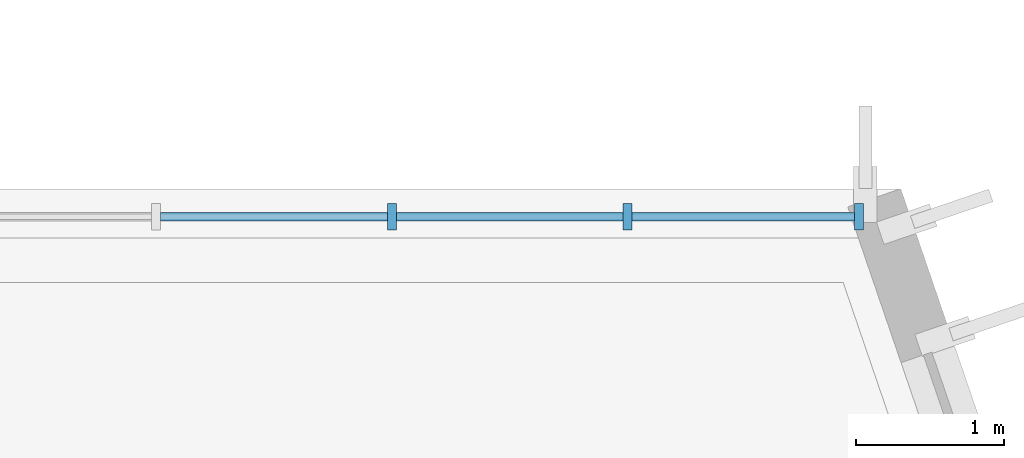
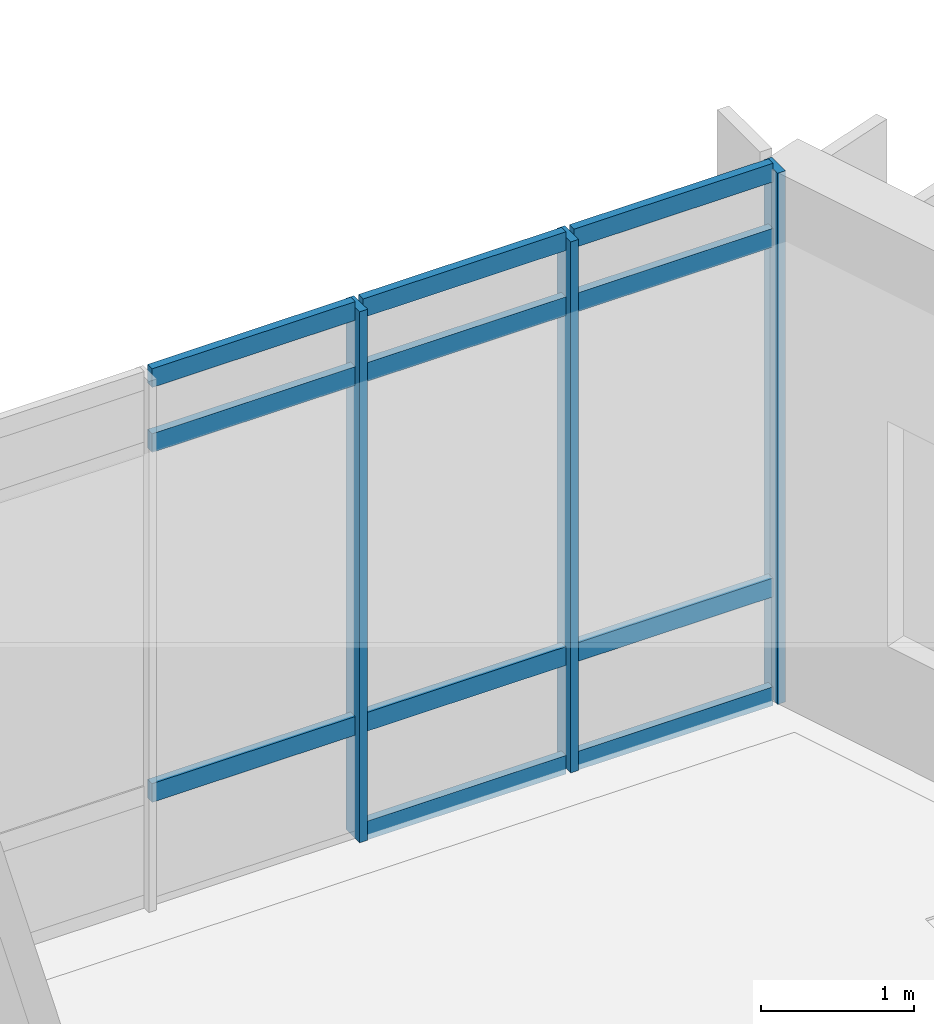
# One storey, part 43 of 86: 14 members, 1 element without a shape of its own.
"""IFC4 building model written with IfcOpenShell, lengths in metres."""

import ifcopenshell
import ifcopenshell.guid

model = None  # the IFC model being written
_history = None  # IfcOwnerHistory: only IFC2X3 demands one
_inside = {}  # id of a spatial element -> (the spatial element, [elements in it])
_under = {}  # id of a project, library or spatial element -> (it, [spatial elements below it])
_declared = {}  # id of a project -> (the project, [libraries it declares])
_typed = {}  # id of a type object -> (the type object, [elements of that type])
_made_of = {}  # id of a material, layer set ... -> (it, [elements and type objects made of it])


def new_model(schema):
    """Start an empty IFC model of exactly this schema.

    Asked for "IFC4X3", IfcOpenShell would pick the latest addendum, in which some entities
    have other attributes; the version numbers below select the first issue.
    IFC2X3 requires an IfcOwnerHistory on every rooted entity: one is made here for all.
    """
    global model, _history
    if schema == "IFC4X3":
        model = ifcopenshell.file(schema_version=(4, 3, 0, 0))
    else:
        model = ifcopenshell.file(schema=schema)
    _inside.clear()
    _under.clear()
    _declared.clear()
    _typed.clear()
    _made_of.clear()
    _history = None
    if model.schema == "IFC2X3":
        org = make("IfcOrganization", Name="unknown")
        user = make(
            "IfcPersonAndOrganization",
            ThePerson=make("IfcPerson", FamilyName="unknown"),
            TheOrganization=org,
        )
        app = make(
            "IfcApplication",
            ApplicationDeveloper=org,
            Version="unknown",
            ApplicationFullName="unknown",
            ApplicationIdentifier="unknown",
        )
        _history = make(
            "IfcOwnerHistory",
            OwningUser=user,
            OwningApplication=app,
            ChangeAction="ADDED",
            CreationDate=0,
        )
    return model


def make(cls, **values):
    """One entity of the class cls with the attributes given. An attribute that is None is left unset."""
    return model.create_entity(
        cls, **{name: value for name, value in values.items() if value is not None}
    )


def rooted(cls, **values):
    """An entity with a GlobalId (a new one), such as an element, a storey or a relation."""
    return make(cls, GlobalId=ifcopenshell.guid.new(), OwnerHistory=_history, **values)


def si_unit(unit_type, name, prefix=None):
    """IfcSIUnit, for example si_unit("LENGTHUNIT", "METRE", prefix="MILLI")."""
    return make("IfcSIUnit", UnitType=unit_type, Prefix=prefix, Name=name)


def assignment(units):
    """IfcUnitAssignment: the units of a project."""
    return None if units is None else make("IfcUnitAssignment", Units=units)


def point(xyz):
    """IfcCartesianPoint."""
    return None if xyz is None else make("IfcCartesianPoint", Coordinates=xyz)


def direction(xyz):
    """IfcDirection."""
    return None if xyz is None else make("IfcDirection", DirectionRatios=xyz)


def frame(location, z_axis=None, x_axis=None):
    """IfcAxis2Placement3D, a coordinate frame: its origin and axes. An axis left out is left unset."""
    return make(
        "IfcAxis2Placement3D",
        Location=point(location),
        Axis=direction(z_axis),
        RefDirection=direction(x_axis),
    )


def frame_2d(location, x_axis=None):
    """IfcAxis2Placement2D, a coordinate frame in the plane: its origin and x axis."""
    return make(
        "IfcAxis2Placement2D", Location=point(location), RefDirection=direction(x_axis)
    )


def origin():
    """The frame at (0, 0, 0) with its axes left unset."""
    return frame((0.0, 0.0, 0.0))


def origin_2d():
    """The frame at (0, 0) in the plane with its x axis left unset."""
    return frame_2d((0.0, 0.0))


def place(relative_to, where):
    """IfcLocalPlacement: puts the frame where relative to a parent placement (None: the world)."""
    return make(
        "IfcLocalPlacement", PlacementRelTo=relative_to, RelativePlacement=where
    )


def context(
    kind, dimensions, precision=None, world=None, true_north=None, identifier=None
):
    """IfcGeometricRepresentationContext, for example the 3D "Model" context."""
    return make(
        "IfcGeometricRepresentationContext",
        ContextIdentifier=identifier,
        ContextType=kind,
        CoordinateSpaceDimension=dimensions,
        Precision=precision,
        WorldCoordinateSystem=world,
        TrueNorth=true_north,
    )


def subcontext(parent, identifier, kind, view, scale=None):
    """IfcGeometricRepresentationSubContext, for example "Body" below "Model"."""
    return make(
        "IfcGeometricRepresentationSubContext",
        ContextIdentifier=identifier,
        ContextType=kind,
        ParentContext=parent,
        TargetScale=scale,
        TargetView=view,
    )


def project(units=None, contexts=None):
    """IfcProject with its units and contexts."""
    return rooted(
        "IfcProject",
        Name="project",
        RepresentationContexts=contexts,
        UnitsInContext=assignment(units),
    )


def spatial(cls, under=None, at=None, **own):
    """A site, building, storey or space (cls), placed at a placement, below another one or the project."""
    s = rooted(cls, ObjectPlacement=at, **own)
    if under is not None:
        _under.setdefault(under.id(), (under, []))[1].append(s)
    return s


def profile(cls, at=None, kind="AREA", **sizes):
    """A parametric profile (cls). Its sizes go by their IFC names, for example OverallWidth=200.0."""
    return make(cls, ProfileType=kind, Position=at, **sizes)


def rectangle(**sizes):
    """IfcRectangleProfileDef."""
    return profile("IfcRectangleProfileDef", **sizes)


def extrude(swept, where, along, depth):
    """IfcExtrudedAreaSolid: the profile swept, set in the frame where, extruded along a direction by depth."""
    return make(
        "IfcExtrudedAreaSolid",
        SweptArea=swept,
        Position=where,
        ExtrudedDirection=direction(along),
        Depth=depth,
    )


def shape(context_of_items, identifier, shape_type, items):
    """IfcShapeRepresentation: the items that make up one representation, for example the "Body"."""
    return make(
        "IfcShapeRepresentation",
        ContextOfItems=context_of_items,
        RepresentationIdentifier=identifier,
        RepresentationType=shape_type,
        Items=items,
    )


def material(Name=None, Category=None):
    """IfcMaterial."""
    return make("IfcMaterial", Name=Name, Category=Category)


def material_profile(
    of_material, cross_section, Name=None, Category=None, Priority=None
):
    """IfcMaterialProfile: a cross section and its material."""
    return make(
        "IfcMaterialProfile",
        Name=Name,
        Material=of_material,
        Profile=cross_section,
        Priority=Priority,
        Category=Category,
    )


def profile_set(profiles, Name=None, composite=None):
    """IfcMaterialProfileSet."""
    return make(
        "IfcMaterialProfileSet",
        Name=Name,
        MaterialProfiles=profiles,
        CompositeProfile=composite,
    )


def made_of(thing, what):
    """Note that an element or type object is made of a material, layer set ...; save() writes the relation."""
    if what is not None:
        _made_of.setdefault(what.id(), (what, []))[1].append(thing)
    return thing


def type_object(cls, material=None, **own):
    """A type object (cls), such as IfcWallType, which elements share."""
    return made_of(rooted(cls, **own), material)


def element(
    cls,
    number,
    at=None,
    inside=None,
    cuts=None,
    type_object=None,
    material=None,
    context=None,
    identifier="Body",
    shape_type=None,
    held_by="IfcProductDefinitionShape",
    body=None,
    shapes=None,
    **own,
):
    """One element of the class cls, such as IfcWall. Its Tag is "e" and its number.

    at: its placement. inside: the storey or other place that contains it. cuts: it is an
    opening in that element (IfcRelVoidsElement). A single representation is given by context,
    identifier, shape_type and body (its items); several are given by shapes. held_by: the class
    of the entity that holds the representations. save() writes the other relations.
    """
    e = rooted(cls, Tag="e%d" % number, ObjectPlacement=at, **own)
    if body is not None:
        shapes = [shape(context, identifier, shape_type, body)]
    if shapes is not None:
        e.Representation = make(held_by, Representations=shapes)
    if inside is not None:
        _inside.setdefault(inside.id(), (inside, []))[1].append(e)
    if cuts is not None:
        rooted(
            "IfcRelVoidsElement", RelatingBuildingElement=cuts, RelatedOpeningElement=e
        )
    if type_object is not None:
        _typed.setdefault(type_object.id(), (type_object, []))[1].append(e)
    return made_of(e, material)


def aggregate(whole, parts):
    """IfcRelAggregates: a whole, such as a stair, and the parts it consists of."""
    return rooted("IfcRelAggregates", RelatingObject=whole, RelatedObjects=parts)


def save(model, path):
    """Write the relations noted so far, then the file.

    IfcRelAggregates (storeys below a building ...), IfcRelContainedInSpatialStructure (elements
    in a storey), IfcRelDefinesByType, IfcRelAssociatesMaterial and IfcRelDeclares: one each for
    every whole, place, type object, material and project.
    """
    for whole, parts in _under.values():
        aggregate(whole, parts)
    for where, things in _inside.values():
        rooted(
            "IfcRelContainedInSpatialStructure",
            RelatedElements=things,
            RelatingStructure=where,
        )
    for kind, things in _typed.values():
        rooted("IfcRelDefinesByType", RelatedObjects=things, RelatingType=kind)
    for what, things in _made_of.values():
        rooted("IfcRelAssociatesMaterial", RelatedObjects=things, RelatingMaterial=what)
    for by, libraries in _declared.values():
        rooted("IfcRelDeclares", RelatingContext=by, RelatedDefinitions=libraries)
    model.write(path)


model = new_model("IFC4")

# Units and contexts
model_context = context("Model", 3, precision=1e-05, world=origin(), true_north=direction((0.0, 1.0)))
body_context = subcontext(model_context, "Body", "Model", "MODEL_VIEW")
ifc_project = project(units=[si_unit("LENGTHUNIT", "METRE"), si_unit("AREAUNIT", "SQUARE_METRE"), si_unit("VOLUMEUNIT", "CUBIC_METRE"), si_unit("PLANEANGLEUNIT", "RADIAN"), si_unit("MASSUNIT", "GRAM", prefix="KILO")], contexts=[model_context])

# Site, building, storey
site_placement = place(None, origin())
site = spatial("IfcSite", under=ifc_project, at=site_placement, CompositionType="ELEMENT")
building_placement = place(site_placement, origin())
building = spatial("IfcBuilding", under=site, at=building_placement, Name="Cymarion Research Institute", CompositionType="ELEMENT")
storey_placement = place(building_placement, frame((0.0, 0.0, 13.800048828125)))
storey = spatial("IfcBuildingStorey", under=building, at=storey_placement, Name="L03", CompositionType="ELEMENT", Elevation=13.800048828125)

# Curtain wall, members
ifc_material_1 = material(Name="Anodised aluminium unitised curtain wall with Low-E glazing", Category="aluminium")
curtain_wall_type = type_object("IfcCurtainWallType", Name="UNITISED CURTAIN WALL CW02 6390X4250", PredefinedType="NOTDEFINED", material=ifc_material_1)
curtain_wall_placement = place(storey_placement, origin())
curtain_wall = element("IfcCurtainWall", 1, at=curtain_wall_placement, inside=storey, type_object=curtain_wall_type, Name="L03 V1 unitised curtain wall CW02 #126", PredefinedType="NOTDEFINED")
ifc_material_2 = material(Name="Anodised aluminium framing", Category="aluminium")
ifc_material_profile_1 = material_profile(ifc_material_2, rectangle(XDim=0.06005859375, YDim=0.179931640625, at=origin_2d()), Name="ALU MULLION 60x180")
ifc_profile_set_1 = profile_set([ifc_material_profile_1], Name="Anodised aluminium framing")
member_type_1 = type_object("IfcMemberType", Name="CURTAIN WALL MULLION ML01 60X180", PredefinedType="MULLION", material=ifc_profile_set_1)
member_1_placement = place(storey_placement, frame((164.116455078125, 41.31005859375, 0.0), z_axis=(0.0, 0.0, 1.0), x_axis=(-1.0, 0.0, 0.0)))
member_1 = element("IfcMember", 2, at=member_1_placement, type_object=member_type_1, Name="CW02 mullion 1", PredefinedType="MULLION", context=body_context, shape_type="SweptSolid", body=[
    extrude(rectangle(XDim=0.06005859375, YDim=0.179931640625, at=origin_2d()), origin(), (0.0, 0.0, 1.0), 4.25),
])
member_2_placement = place(storey_placement, frame((162.5498046875, 41.31005859375, 0.0), z_axis=(0.0, 0.0, 1.0), x_axis=(-1.0, 0.0, 0.0)))
member_2 = element("IfcMember", 3, at=member_2_placement, type_object=member_type_1, Name="CW02 mullion 2", PredefinedType="MULLION", context=body_context, shape_type="SweptSolid", body=[
    extrude(rectangle(XDim=0.06005859375, YDim=0.179931640625, at=origin_2d()), origin(), (0.0, 0.0, 1.0), 4.25),
])
member_3_placement = place(storey_placement, frame((160.953125, 41.31005859375, 0.0), z_axis=(0.0, 0.0, 1.0), x_axis=(-1.0, 0.0, 0.0)))
member_3 = element("IfcMember", 4, at=member_3_placement, type_object=member_type_1, Name="CW02 mullion 3", PredefinedType="MULLION", context=body_context, shape_type="SweptSolid", body=[
    extrude(rectangle(XDim=0.06005859375, YDim=0.179931640625, at=origin_2d()), origin(), (0.0, 0.0, 1.0), 4.25),
])
ifc_material_profile_2 = material_profile(ifc_material_2, rectangle(XDim=0.06005859375, YDim=0.14990234375, at=origin_2d()), Name="ALU TRANSOM 60x150")
ifc_profile_set_2 = profile_set([ifc_material_profile_2], Name="Anodised aluminium framing")
member_type_2 = type_object("IfcMemberType", Name="CURTAIN WALL TRANSOM TR01 60X150", PredefinedType="USERDEFINED", material=ifc_profile_set_2)
member_4_placement = place(storey_placement, frame((164.08642578125, 41.31005859375, 0.030029296875), z_axis=(-1.0, 0.0, 0.0), x_axis=(0.0, -1.0, 0.0)))
member_4 = element("IfcMember", 5, at=member_4_placement, type_object=member_type_2, Name="CW02 transom 1.1", ObjectType="TRANSOM", PredefinedType="USERDEFINED", context=body_context, shape_type="SweptSolid", body=[
    extrude(rectangle(XDim=0.06005859375, YDim=0.14990234375, at=origin_2d()), origin(), (0.0, 0.0, 1.0), 1.506591796875),
])
member_5_placement = place(storey_placement, frame((164.08642578125, 41.31005859375, 0.89990234375), z_axis=(-1.0, 0.0, 0.0), x_axis=(0.0, -1.0, 0.0)))
member_5 = element("IfcMember", 6, at=member_5_placement, type_object=member_type_2, Name="CW02 transom 1.2", ObjectType="TRANSOM", PredefinedType="USERDEFINED", context=body_context, shape_type="SweptSolid", body=[
    extrude(rectangle(XDim=0.06005859375, YDim=0.14990234375, at=origin_2d()), origin(), (0.0, 0.0, 1.0), 1.506591796875),
])
member_6_placement = place(storey_placement, frame((164.08642578125, 41.31005859375, 3.699951171875), z_axis=(-1.0, 0.0, 0.0), x_axis=(0.0, -1.0, 0.0)))
member_6 = element("IfcMember", 7, at=member_6_placement, type_object=member_type_2, Name="CW02 transom 1.3", ObjectType="TRANSOM", PredefinedType="USERDEFINED", context=body_context, shape_type="SweptSolid", body=[
    extrude(rectangle(XDim=0.06005859375, YDim=0.14990234375, at=origin_2d()), origin(), (0.0, 0.0, 1.0), 1.506591796875),
])
member_7_placement = place(storey_placement, frame((164.08642578125, 41.31005859375, 4.219970703125), z_axis=(-1.0, 0.0, 0.0), x_axis=(0.0, -1.0, 0.0)))
member_7 = element("IfcMember", 8, at=member_7_placement, type_object=member_type_2, Name="CW02 transom 1.4", ObjectType="TRANSOM", PredefinedType="USERDEFINED", context=body_context, shape_type="SweptSolid", body=[
    extrude(rectangle(XDim=0.06005859375, YDim=0.14990234375, at=origin_2d()), origin(), (0.0, 0.0, 1.0), 1.506591796875),
])
member_8_placement = place(storey_placement, frame((162.519775390625, 41.31005859375, 0.030029296875), z_axis=(-1.0, 0.0, 0.0), x_axis=(0.0, -1.0, 0.0)))
member_8 = element("IfcMember", 9, at=member_8_placement, type_object=member_type_2, Name="CW02 transom 2.1", ObjectType="TRANSOM", PredefinedType="USERDEFINED", context=body_context, shape_type="SweptSolid", body=[
    extrude(rectangle(XDim=0.06005859375, YDim=0.14990234375, at=origin_2d()), origin(), (0.0, 0.0, 1.0), 1.53662109375),
])
member_9_placement = place(storey_placement, frame((162.519775390625, 41.31005859375, 0.89990234375), z_axis=(-1.0, 0.0, 0.0), x_axis=(0.0, -1.0, 0.0)))
member_9 = element("IfcMember", 10, at=member_9_placement, type_object=member_type_2, Name="CW02 transom 2.2", ObjectType="TRANSOM", PredefinedType="USERDEFINED", context=body_context, shape_type="SweptSolid", body=[
    extrude(rectangle(XDim=0.06005859375, YDim=0.14990234375, at=origin_2d()), origin(), (0.0, 0.0, 1.0), 1.53662109375),
])
member_10_placement = place(storey_placement, frame((162.519775390625, 41.31005859375, 3.699951171875), z_axis=(-1.0, 0.0, 0.0), x_axis=(0.0, -1.0, 0.0)))
member_10 = element("IfcMember", 11, at=member_10_placement, type_object=member_type_2, Name="CW02 transom 2.3", ObjectType="TRANSOM", PredefinedType="USERDEFINED", context=body_context, shape_type="SweptSolid", body=[
    extrude(rectangle(XDim=0.06005859375, YDim=0.14990234375, at=origin_2d()), origin(), (0.0, 0.0, 1.0), 1.53662109375),
])
member_11_placement = place(storey_placement, frame((162.519775390625, 41.31005859375, 4.219970703125), z_axis=(-1.0, 0.0, 0.0), x_axis=(0.0, -1.0, 0.0)))
member_11 = element("IfcMember", 12, at=member_11_placement, type_object=member_type_2, Name="CW02 transom 2.4", ObjectType="TRANSOM", PredefinedType="USERDEFINED", context=body_context, shape_type="SweptSolid", body=[
    extrude(rectangle(XDim=0.06005859375, YDim=0.14990234375, at=origin_2d()), origin(), (0.0, 0.0, 1.0), 1.53662109375),
])
member_12_placement = place(storey_placement, frame((160.923095703125, 41.31005859375, 0.89990234375), z_axis=(-1.0, 0.0, 0.0), x_axis=(0.0, -1.0, 0.0)))
member_12 = element("IfcMember", 13, at=member_12_placement, type_object=member_type_2, Name="CW02 transom 3.2", ObjectType="TRANSOM", PredefinedType="USERDEFINED", context=body_context, shape_type="SweptSolid", body=[
    extrude(rectangle(XDim=0.06005859375, YDim=0.14990234375, at=origin_2d()), origin(), (0.0, 0.0, 1.0), 1.53662109375),
])
member_13_placement = place(storey_placement, frame((160.923095703125, 41.31005859375, 3.699951171875), z_axis=(-1.0, 0.0, 0.0), x_axis=(0.0, -1.0, 0.0)))
member_13 = element("IfcMember", 14, at=member_13_placement, type_object=member_type_2, Name="CW02 transom 3.3", ObjectType="TRANSOM", PredefinedType="USERDEFINED", context=body_context, shape_type="SweptSolid", body=[
    extrude(rectangle(XDim=0.06005859375, YDim=0.14990234375, at=origin_2d()), origin(), (0.0, 0.0, 1.0), 1.53662109375),
])
member_14_placement = place(storey_placement, frame((160.923095703125, 41.31005859375, 4.219970703125), z_axis=(-1.0, 0.0, 0.0), x_axis=(0.0, -1.0, 0.0)))
member_14 = element("IfcMember", 15, at=member_14_placement, type_object=member_type_2, Name="CW02 transom 3.4", ObjectType="TRANSOM", PredefinedType="USERDEFINED", context=body_context, shape_type="SweptSolid", body=[
    extrude(rectangle(XDim=0.06005859375, YDim=0.14990234375, at=origin_2d()), origin(), (0.0, 0.0, 1.0), 1.53662109375),
])
aggregate(curtain_wall, [member_1, member_2, member_3, member_4, member_5, member_6, member_7, member_8, member_9, member_10, member_11, member_12, member_13, member_14])

save(model, "model.ifc")
